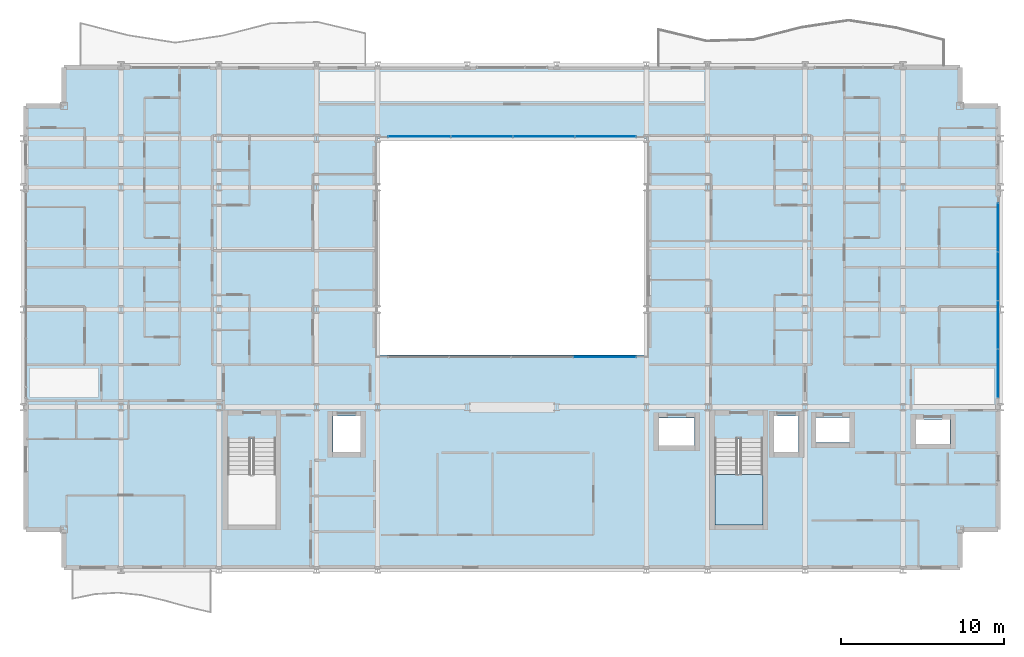
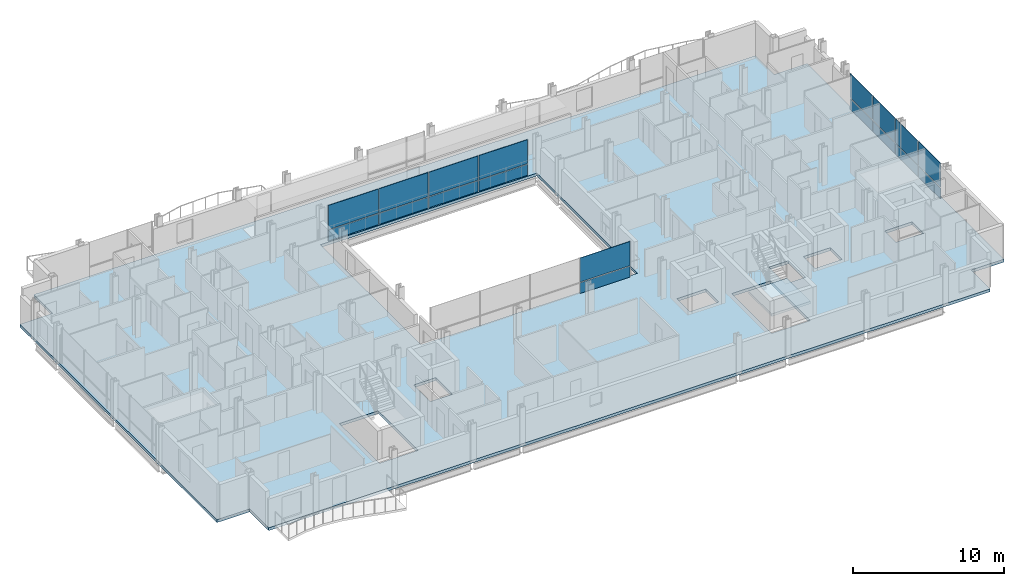
# One storey, part 27 of 40: 18 plates, 2 slabs, 4 elements without a shape of their own.
"""IFC4 building model written with IfcOpenShell, lengths in metres."""

import ifcopenshell
import ifcopenshell.guid

model = None  # the IFC model being written
_history = None  # IfcOwnerHistory: only IFC2X3 demands one
_inside = {}  # id of a spatial element -> (the spatial element, [elements in it])
_under = {}  # id of a project, library or spatial element -> (it, [spatial elements below it])
_declared = {}  # id of a project -> (the project, [libraries it declares])
_typed = {}  # id of a type object -> (the type object, [elements of that type])
_made_of = {}  # id of a material, layer set ... -> (it, [elements and type objects made of it])


def new_model(schema):
    """Start an empty IFC model of exactly this schema.

    Asked for "IFC4X3", IfcOpenShell would pick the latest addendum, in which some entities
    have other attributes; the version numbers below select the first issue.
    IFC2X3 requires an IfcOwnerHistory on every rooted entity: one is made here for all.
    """
    global model, _history
    if schema == "IFC4X3":
        model = ifcopenshell.file(schema_version=(4, 3, 0, 0))
    else:
        model = ifcopenshell.file(schema=schema)
    _inside.clear()
    _under.clear()
    _declared.clear()
    _typed.clear()
    _made_of.clear()
    _history = None
    if model.schema == "IFC2X3":
        org = make("IfcOrganization", Name="unknown")
        user = make(
            "IfcPersonAndOrganization",
            ThePerson=make("IfcPerson", FamilyName="unknown"),
            TheOrganization=org,
        )
        app = make(
            "IfcApplication",
            ApplicationDeveloper=org,
            Version="unknown",
            ApplicationFullName="unknown",
            ApplicationIdentifier="unknown",
        )
        _history = make(
            "IfcOwnerHistory",
            OwningUser=user,
            OwningApplication=app,
            ChangeAction="ADDED",
            CreationDate=0,
        )
    return model


def make(cls, **values):
    """One entity of the class cls with the attributes given. An attribute that is None is left unset."""
    return model.create_entity(
        cls, **{name: value for name, value in values.items() if value is not None}
    )


def rooted(cls, **values):
    """An entity with a GlobalId (a new one), such as an element, a storey or a relation."""
    return make(cls, GlobalId=ifcopenshell.guid.new(), OwnerHistory=_history, **values)


def si_unit(unit_type, name, prefix=None):
    """IfcSIUnit, for example si_unit("LENGTHUNIT", "METRE", prefix="MILLI")."""
    return make("IfcSIUnit", UnitType=unit_type, Prefix=prefix, Name=name)


def assignment(units):
    """IfcUnitAssignment: the units of a project."""
    return None if units is None else make("IfcUnitAssignment", Units=units)


def point(xyz):
    """IfcCartesianPoint."""
    return None if xyz is None else make("IfcCartesianPoint", Coordinates=xyz)


def direction(xyz):
    """IfcDirection."""
    return None if xyz is None else make("IfcDirection", DirectionRatios=xyz)


def frame(location, z_axis=None, x_axis=None):
    """IfcAxis2Placement3D, a coordinate frame: its origin and axes. An axis left out is left unset."""
    return make(
        "IfcAxis2Placement3D",
        Location=point(location),
        Axis=direction(z_axis),
        RefDirection=direction(x_axis),
    )


def frame_2d(location, x_axis=None):
    """IfcAxis2Placement2D, a coordinate frame in the plane: its origin and x axis."""
    return make(
        "IfcAxis2Placement2D", Location=point(location), RefDirection=direction(x_axis)
    )


def origin():
    """The frame at (0, 0, 0) with its axes left unset."""
    return frame((0.0, 0.0, 0.0))


def origin_2d():
    """The frame at (0, 0) in the plane with its x axis left unset."""
    return frame_2d((0.0, 0.0))


def place(relative_to, where):
    """IfcLocalPlacement: puts the frame where relative to a parent placement (None: the world)."""
    return make(
        "IfcLocalPlacement", PlacementRelTo=relative_to, RelativePlacement=where
    )


def context(
    kind, dimensions, precision=None, world=None, true_north=None, identifier=None
):
    """IfcGeometricRepresentationContext, for example the 3D "Model" context."""
    return make(
        "IfcGeometricRepresentationContext",
        ContextIdentifier=identifier,
        ContextType=kind,
        CoordinateSpaceDimension=dimensions,
        Precision=precision,
        WorldCoordinateSystem=world,
        TrueNorth=true_north,
    )


def subcontext(parent, identifier, kind, view, scale=None):
    """IfcGeometricRepresentationSubContext, for example "Body" below "Model"."""
    return make(
        "IfcGeometricRepresentationSubContext",
        ContextIdentifier=identifier,
        ContextType=kind,
        ParentContext=parent,
        TargetScale=scale,
        TargetView=view,
    )


def project(units=None, contexts=None):
    """IfcProject with its units and contexts."""
    return rooted(
        "IfcProject",
        Name="project",
        RepresentationContexts=contexts,
        UnitsInContext=assignment(units),
    )


def spatial(cls, under=None, at=None, **own):
    """A site, building, storey or space (cls), placed at a placement, below another one or the project."""
    s = rooted(cls, ObjectPlacement=at, **own)
    if under is not None:
        _under.setdefault(under.id(), (under, []))[1].append(s)
    return s


def polyline(points):
    """IfcPolyline through the points."""
    return make("IfcPolyline", Points=[point(p) for p in points])


def profile(cls, at=None, kind="AREA", **sizes):
    """A parametric profile (cls). Its sizes go by their IFC names, for example OverallWidth=200.0."""
    return make(cls, ProfileType=kind, Position=at, **sizes)


def rectangle(**sizes):
    """IfcRectangleProfileDef."""
    return profile("IfcRectangleProfileDef", **sizes)


def outline(outer, holes=None, kind="AREA"):
    """IfcArbitraryClosedProfileDef: a profile drawn as a closed curve; with holes, ...WithVoids."""
    if holes is None:
        return make("IfcArbitraryClosedProfileDef", ProfileType=kind, OuterCurve=outer)
    return make(
        "IfcArbitraryProfileDefWithVoids",
        ProfileType=kind,
        OuterCurve=outer,
        InnerCurves=holes,
    )


def extrude(swept, where, along, depth):
    """IfcExtrudedAreaSolid: the profile swept, set in the frame where, extruded along a direction by depth."""
    return make(
        "IfcExtrudedAreaSolid",
        SweptArea=swept,
        Position=where,
        ExtrudedDirection=direction(along),
        Depth=depth,
    )


def shape(context_of_items, identifier, shape_type, items):
    """IfcShapeRepresentation: the items that make up one representation, for example the "Body"."""
    return make(
        "IfcShapeRepresentation",
        ContextOfItems=context_of_items,
        RepresentationIdentifier=identifier,
        RepresentationType=shape_type,
        Items=items,
    )


def material(Name=None, Category=None):
    """IfcMaterial."""
    return make("IfcMaterial", Name=Name, Category=Category)


def layer(
    of_material, thickness, ventilated=None, Name=None, Category=None, Priority=None
):
    """IfcMaterialLayer: one layer of a wall or slab, of a material (None: an air gap)."""
    return make(
        "IfcMaterialLayer",
        Material=of_material,
        LayerThickness=thickness,
        IsVentilated=ventilated,
        Name=Name,
        Category=Category,
        Priority=Priority,
    )


def layer_set(layers, Name=None):
    """IfcMaterialLayerSet."""
    return make("IfcMaterialLayerSet", MaterialLayers=layers, LayerSetName=Name)


def made_of(thing, what):
    """Note that an element or type object is made of a material, layer set ...; save() writes the relation."""
    if what is not None:
        _made_of.setdefault(what.id(), (what, []))[1].append(thing)
    return thing


def type_object(cls, material=None, **own):
    """A type object (cls), such as IfcWallType, which elements share."""
    return made_of(rooted(cls, **own), material)


def element(
    cls,
    number,
    at=None,
    inside=None,
    cuts=None,
    type_object=None,
    material=None,
    context=None,
    identifier="Body",
    shape_type=None,
    held_by="IfcProductDefinitionShape",
    body=None,
    shapes=None,
    **own,
):
    """One element of the class cls, such as IfcWall. Its Tag is "e" and its number.

    at: its placement. inside: the storey or other place that contains it. cuts: it is an
    opening in that element (IfcRelVoidsElement). A single representation is given by context,
    identifier, shape_type and body (its items); several are given by shapes. held_by: the class
    of the entity that holds the representations. save() writes the other relations.
    """
    e = rooted(cls, Tag="e%d" % number, ObjectPlacement=at, **own)
    if body is not None:
        shapes = [shape(context, identifier, shape_type, body)]
    if shapes is not None:
        e.Representation = make(held_by, Representations=shapes)
    if inside is not None:
        _inside.setdefault(inside.id(), (inside, []))[1].append(e)
    if cuts is not None:
        rooted(
            "IfcRelVoidsElement", RelatingBuildingElement=cuts, RelatedOpeningElement=e
        )
    if type_object is not None:
        _typed.setdefault(type_object.id(), (type_object, []))[1].append(e)
    return made_of(e, material)


def aggregate(whole, parts):
    """IfcRelAggregates: a whole, such as a stair, and the parts it consists of."""
    return rooted("IfcRelAggregates", RelatingObject=whole, RelatedObjects=parts)


def save(model, path):
    """Write the relations noted so far, then the file.

    IfcRelAggregates (storeys below a building ...), IfcRelContainedInSpatialStructure (elements
    in a storey), IfcRelDefinesByType, IfcRelAssociatesMaterial and IfcRelDeclares: one each for
    every whole, place, type object, material and project.
    """
    for whole, parts in _under.values():
        aggregate(whole, parts)
    for where, things in _inside.values():
        rooted(
            "IfcRelContainedInSpatialStructure",
            RelatedElements=things,
            RelatingStructure=where,
        )
    for kind, things in _typed.values():
        rooted("IfcRelDefinesByType", RelatedObjects=things, RelatingType=kind)
    for what, things in _made_of.values():
        rooted("IfcRelAssociatesMaterial", RelatedObjects=things, RelatingMaterial=what)
    for by, libraries in _declared.values():
        rooted("IfcRelDeclares", RelatingContext=by, RelatedDefinitions=libraries)
    model.write(path)


model = new_model("IFC4")

# Units and contexts
model_context = context("Model", 3, precision=1e-05, world=origin(), true_north=direction((0.0, 1.0)))
body_context = subcontext(model_context, "Body", "Model", "MODEL_VIEW")
ifc_project = project(units=[si_unit("LENGTHUNIT", "METRE"), si_unit("AREAUNIT", "SQUARE_METRE"), si_unit("VOLUMEUNIT", "CUBIC_METRE"), si_unit("PLANEANGLEUNIT", "RADIAN"), si_unit("MASSUNIT", "GRAM", prefix="KILO")], contexts=[model_context])

# Site, building, storey
site_placement = place(None, origin())
site = spatial("IfcSite", under=ifc_project, at=site_placement, CompositionType="ELEMENT")
building_placement = place(site_placement, origin())
building = spatial("IfcBuilding", under=site, at=building_placement, Name="Brevholm Reach", CompositionType="ELEMENT")
storey_placement = place(building_placement, frame((0.0, 0.0, 31.10009765625)))
storey = spatial("IfcBuildingStorey", under=building, at=storey_placement, Name="L07", CompositionType="ELEMENT", Elevation=31.10009765625)

# Curtain wall, plates
ifc_material_1 = material(Name="Dark Anodised Aluminium 6063-T6 and Solar-Control Glass", Category="aluminium")
ifc_layer_1 = layer(ifc_material_1, 0.14990234375)
ifc_layer_set_1 = layer_set([ifc_layer_1], Name="Dark Anodised Aluminium 6063-T6 and Solar-Control Glass")
curtain_wall_type_1 = type_object("IfcCurtainWallType", Name="CW-01", PredefinedType="NOTDEFINED", material=ifc_layer_set_1)
curtain_wall_1_placement = place(storey_placement, origin())
curtain_wall_1 = element("IfcCurtainWall", 1, at=curtain_wall_1_placement, inside=storey, type_object=curtain_wall_type_1, Name="L07 Curtain Wall CW-01", PredefinedType="NOTDEFINED")
ifc_material_2 = material(Name="Dark Solar-Control Double-Glazed IGU Glass", Category="glass")
ifc_layer_2 = layer(ifc_material_2, 0.028076171875)
ifc_layer_set_2 = layer_set([ifc_layer_2], Name="Dark Solar-Control Double-Glazed IGU Glass")
plate_type_1 = type_object("IfcPlateType", Name="CWP-GLZ-28", PredefinedType="CURTAIN_PANEL", material=ifc_layer_set_2)
plate_1_placement = place(storey_placement, frame((59.85009765625, 12.066162109375, 0.0), z_axis=(0.0, 0.0, 1.0), x_axis=(0.0, 1.0, 0.0)))
plate_1 = element("IfcPlate", 2, at=plate_1_placement, type_object=plate_type_1, Name="CP-01 Glazing Panel 1.1", PredefinedType="CURTAIN_PANEL", context=body_context, shape_type="SweptSolid", body=[
    extrude(rectangle(XDim=2.902587890625, YDim=0.028076171875, at=origin_2d()), origin(), (0.0, 0.0, 1.0), 0.867431640625),
])
plate_2_placement = place(storey_placement, frame((59.85009765625, 12.066162109375, 0.932373046875), z_axis=(0.0, 0.0, 1.0), x_axis=(0.0, 1.0, 0.0)))
plate_2 = element("IfcPlate", 3, at=plate_2_placement, type_object=plate_type_1, Name="CP-01 Glazing Panel 1.2", PredefinedType="CURTAIN_PANEL", context=body_context, shape_type="SweptSolid", body=[
    extrude(rectangle(XDim=2.902587890625, YDim=0.028076171875, at=origin_2d()), origin(), (0.0, 0.0, 1.0), 1.9375),
])
plate_3_placement = place(storey_placement, frame((59.85009765625, 15.050048828125, 0.0), z_axis=(0.0, 0.0, 1.0), x_axis=(0.0, 1.0, 0.0)))
plate_3 = element("IfcPlate", 4, at=plate_3_placement, type_object=plate_type_1, Name="CP-01 Glazing Panel 2.1", PredefinedType="CURTAIN_PANEL", context=body_context, shape_type="SweptSolid", body=[
    extrude(rectangle(XDim=2.93505859375, YDim=0.028076171875, at=origin_2d()), origin(), (0.0, 0.0, 1.0), 0.867431640625),
])
plate_4_placement = place(storey_placement, frame((59.85009765625, 15.050048828125, 0.932373046875), z_axis=(0.0, 0.0, 1.0), x_axis=(0.0, 1.0, 0.0)))
plate_4 = element("IfcPlate", 5, at=plate_4_placement, type_object=plate_type_1, Name="CP-01 Glazing Panel 2.2", PredefinedType="CURTAIN_PANEL", context=body_context, shape_type="SweptSolid", body=[
    extrude(rectangle(XDim=2.93505859375, YDim=0.028076171875, at=origin_2d()), origin(), (0.0, 0.0, 1.0), 1.9375),
])
plate_5_placement = place(storey_placement, frame((59.85009765625, 18.050048828125, 0.0), z_axis=(0.0, 0.0, 1.0), x_axis=(0.0, 1.0, 0.0)))
plate_5 = element("IfcPlate", 6, at=plate_5_placement, type_object=plate_type_1, Name="CP-01 Glazing Panel 3.1", PredefinedType="CURTAIN_PANEL", context=body_context, shape_type="SweptSolid", body=[
    extrude(rectangle(XDim=2.93505859375, YDim=0.028076171875, at=origin_2d()), origin(), (0.0, 0.0, 1.0), 0.867431640625),
])
plate_6_placement = place(storey_placement, frame((59.85009765625, 18.050048828125, 0.932373046875), z_axis=(0.0, 0.0, 1.0), x_axis=(0.0, 1.0, 0.0)))
plate_6 = element("IfcPlate", 7, at=plate_6_placement, type_object=plate_type_1, Name="CP-01 Glazing Panel 3.2", PredefinedType="CURTAIN_PANEL", context=body_context, shape_type="SweptSolid", body=[
    extrude(rectangle(XDim=2.93505859375, YDim=0.028076171875, at=origin_2d()), origin(), (0.0, 0.0, 1.0), 1.9375),
])
plate_7_placement = place(storey_placement, frame((59.85009765625, 21.050048828125, 0.0), z_axis=(0.0, 0.0, 1.0), x_axis=(0.0, 1.0, 0.0)))
plate_7 = element("IfcPlate", 8, at=plate_7_placement, type_object=plate_type_1, Name="CP-01 Glazing Panel 4.1", PredefinedType="CURTAIN_PANEL", context=body_context, shape_type="SweptSolid", body=[
    extrude(rectangle(XDim=2.93505859375, YDim=0.028076171875, at=origin_2d()), origin(), (0.0, 0.0, 1.0), 0.867431640625),
])
plate_8_placement = place(storey_placement, frame((59.85009765625, 21.050048828125, 0.932373046875), z_axis=(0.0, 0.0, 1.0), x_axis=(0.0, 1.0, 0.0)))
plate_8 = element("IfcPlate", 9, at=plate_8_placement, type_object=plate_type_1, Name="CP-01 Glazing Panel 4.2", PredefinedType="CURTAIN_PANEL", context=body_context, shape_type="SweptSolid", body=[
    extrude(rectangle(XDim=2.93505859375, YDim=0.028076171875, at=origin_2d()), origin(), (0.0, 0.0, 1.0), 1.9375),
])
aggregate(curtain_wall_1, [plate_1, plate_2, plate_3, plate_4, plate_5, plate_6, plate_7, plate_8])

ifc_material_3 = material(Name="Dark Anodised Aluminium 6063-T6 and Solar-Control Glass", Category="aluminium")
ifc_layer_3 = layer(ifc_material_3, 0.139892578125)
ifc_layer_set_3 = layer_set([ifc_layer_3], Name="Dark Anodised Aluminium 6063-T6 and Solar-Control Glass")
curtain_wall_type_2 = type_object("IfcCurtainWallType", Name="CW-02", PredefinedType="NOTDEFINED", material=ifc_layer_set_3)
curtain_wall_2_placement = place(storey_placement, origin())
curtain_wall_2 = element("IfcCurtainWall", 10, at=curtain_wall_2_placement, inside=storey, type_object=curtain_wall_type_2, Name="L07 Curtain Wall CW-02", PredefinedType="NOTDEFINED")
ifc_material_4 = material(Name="Low-Iron Laminated Acoustic Glass", Category="glass")
ifc_layer_4 = layer(ifc_material_4, 0.035888671875)
ifc_layer_set_4 = layer_set([ifc_layer_4], Name="Low-Iron Laminated Acoustic Glass")
plate_type_2 = type_object("IfcPlateType", Name="CWP-GLZ-36", PredefinedType="CURTAIN_PANEL", material=ifc_layer_set_4)
plate_9_placement = place(storey_placement, frame((35.68505859375, 13.080078125, -0.000244140625), z_axis=(0.0, 0.0, 1.0), x_axis=(1.0, 0.0, 0.0)))
plate_9 = element("IfcPlate", 11, at=plate_9_placement, type_object=plate_type_2, Name="CP-02 Glazing Panel 4.1", PredefinedType="CURTAIN_PANEL", context=body_context, shape_type="SweptSolid", body=[
    extrude(rectangle(XDim=3.81005859375, YDim=0.035888671875, at=origin_2d()), origin(), (0.0, 0.0, 1.0), 0.8701171875),
])
plate_10_placement = place(storey_placement, frame((35.68505859375, 13.080078125, 0.929931640625), z_axis=(0.0, 0.0, 1.0), x_axis=(1.0, 0.0, 0.0)))
plate_10 = element("IfcPlate", 12, at=plate_10_placement, type_object=plate_type_2, Name="CP-02 Glazing Panel 4.2", PredefinedType="CURTAIN_PANEL", context=body_context, shape_type="SweptSolid", body=[
    extrude(rectangle(XDim=3.81005859375, YDim=0.035888671875, at=origin_2d()), origin(), (0.0, 0.0, 1.0), 1.93994140625),
])
aggregate(curtain_wall_2, [plate_9, plate_10])

curtain_wall_3_placement = place(storey_placement, origin())
curtain_wall_3 = element("IfcCurtainWall", 13, at=curtain_wall_3_placement, inside=storey, type_object=curtain_wall_type_2, Name="L07 Curtain Wall CW-02", PredefinedType="NOTDEFINED")
plate_11_placement = place(storey_placement, frame((35.735107421875, 26.6201171875, -0.000244140625), z_axis=(0.0, 0.0, 1.0), x_axis=(-1.0, 0.0, 0.0)))
plate_11 = element("IfcPlate", 14, at=plate_11_placement, type_object=plate_type_2, Name="CP-02 Glazing Panel 1.1", PredefinedType="CURTAIN_PANEL", context=body_context, shape_type="SweptSolid", body=[
    extrude(rectangle(XDim=3.7099609375, YDim=0.035888671875, at=origin_2d()), origin(), (0.0, 0.0, 1.0), 0.8701171875),
])
plate_12_placement = place(storey_placement, frame((35.735107421875, 26.6201171875, 0.929931640625), z_axis=(0.0, 0.0, 1.0), x_axis=(-1.0, 0.0, 0.0)))
plate_12 = element("IfcPlate", 15, at=plate_12_placement, type_object=plate_type_2, Name="CP-02 Glazing Panel 1.2", PredefinedType="CURTAIN_PANEL", context=body_context, shape_type="SweptSolid", body=[
    extrude(rectangle(XDim=3.7099609375, YDim=0.035888671875, at=origin_2d()), origin(), (0.0, 0.0, 1.0), 1.93994140625),
])
plate_13_placement = place(storey_placement, frame((31.949951171875, 26.6201171875, -0.000244140625), z_axis=(0.0, 0.0, 1.0), x_axis=(-1.0, 0.0, 0.0)))
plate_13 = element("IfcPlate", 16, at=plate_13_placement, type_object=plate_type_2, Name="CP-02 Glazing Panel 2.1", PredefinedType="CURTAIN_PANEL", context=body_context, shape_type="SweptSolid", body=[
    extrude(rectangle(XDim=3.739990234375, YDim=0.035888671875, at=origin_2d()), origin(), (0.0, 0.0, 1.0), 0.8701171875),
])
plate_14_placement = place(storey_placement, frame((31.949951171875, 26.6201171875, 0.929931640625), z_axis=(0.0, 0.0, 1.0), x_axis=(-1.0, 0.0, 0.0)))
plate_14 = element("IfcPlate", 17, at=plate_14_placement, type_object=plate_type_2, Name="CP-02 Glazing Panel 2.2", PredefinedType="CURTAIN_PANEL", context=body_context, shape_type="SweptSolid", body=[
    extrude(rectangle(XDim=3.739990234375, YDim=0.035888671875, at=origin_2d()), origin(), (0.0, 0.0, 1.0), 1.93994140625),
])
plate_15_placement = place(storey_placement, frame((28.14990234375, 26.6201171875, -0.000244140625), z_axis=(0.0, 0.0, 1.0), x_axis=(-1.0, 0.0, 0.0)))
plate_15 = element("IfcPlate", 18, at=plate_15_placement, type_object=plate_type_2, Name="CP-02 Glazing Panel 3.1", PredefinedType="CURTAIN_PANEL", context=body_context, shape_type="SweptSolid", body=[
    extrude(rectangle(XDim=3.739990234375, YDim=0.035888671875, at=origin_2d()), origin(), (0.0, 0.0, 1.0), 0.8701171875),
])
plate_16_placement = place(storey_placement, frame((28.14990234375, 26.6201171875, 0.929931640625), z_axis=(0.0, 0.0, 1.0), x_axis=(-1.0, 0.0, 0.0)))
plate_16 = element("IfcPlate", 19, at=plate_16_placement, type_object=plate_type_2, Name="CP-02 Glazing Panel 3.2", PredefinedType="CURTAIN_PANEL", context=body_context, shape_type="SweptSolid", body=[
    extrude(rectangle(XDim=3.739990234375, YDim=0.035888671875, at=origin_2d()), origin(), (0.0, 0.0, 1.0), 1.93994140625),
])
plate_17_placement = place(storey_placement, frame((24.31494140625, 26.6201171875, -0.000244140625), z_axis=(0.0, 0.0, 1.0), x_axis=(-1.0, 0.0, 0.0)))
plate_17 = element("IfcPlate", 20, at=plate_17_placement, type_object=plate_type_2, Name="CP-02 Glazing Panel 4.1", PredefinedType="CURTAIN_PANEL", context=body_context, shape_type="SweptSolid", body=[
    extrude(rectangle(XDim=3.81005859375, YDim=0.035888671875, at=origin_2d()), origin(), (0.0, 0.0, 1.0), 0.8701171875),
])
plate_18_placement = place(storey_placement, frame((24.31494140625, 26.6201171875, 0.929931640625), z_axis=(0.0, 0.0, 1.0), x_axis=(-1.0, 0.0, 0.0)))
plate_18 = element("IfcPlate", 21, at=plate_18_placement, type_object=plate_type_2, Name="CP-02 Glazing Panel 4.2", PredefinedType="CURTAIN_PANEL", context=body_context, shape_type="SweptSolid", body=[
    extrude(rectangle(XDim=3.81005859375, YDim=0.035888671875, at=origin_2d()), origin(), (0.0, 0.0, 1.0), 1.93994140625),
])
aggregate(curtain_wall_3, [plate_11, plate_12, plate_13, plate_14, plate_15, plate_16, plate_17, plate_18])

# Slab
ifc_material_5 = material(Name="Concrete C40/50", Category="concrete")
ifc_layer_5 = layer(ifc_material_5, 0.22998046875)
ifc_layer_set_5 = layer_set([ifc_layer_5], Name="Concrete C40/50")
slab_type_1 = type_object("IfcSlabType", Name="SLB-FL-230", PredefinedType="FLOOR", material=ifc_layer_set_5)
slab_1_placement = place(storey_placement, frame((0.0, 0.0, -0.22998046875)))
element("IfcSlab", 22, at=slab_1_placement, inside=storey, type_object=slab_type_1, Name="L07 Suspended Floor Slab (main)", PredefinedType="FLOOR", context=body_context, shape_type="SweptSolid", body=[
    extrude(outline(polyline([(2.5, 0.0), (57.5, 0.0), (57.5, 2.5), (60.0, 2.5), (60.0, 28.5), (57.5, 28.5), (57.5, 31.0), (2.5, 31.0), (2.5, 28.5), (0.0, 28.5), (0.0, 2.5), (2.5, 2.5), (2.5, 0.0)]), holes=[polyline([(21.75, 13.199951171875), (38.25, 13.199951171875), (38.25, 26.5), (21.75, 26.5), (21.75, 13.199951171875)]), polyline([(12.550048828125, 2.780029296875), (15.5, 2.780029296875), (15.5, 8.044921875), (12.550048828125, 8.044921875), (12.550048828125, 2.780029296875)]), polyline([(42.449951171875, 2.780029296875), (45.39990234375, 2.780029296875), (45.39990234375, 8.044921875), (42.449951171875, 8.044921875), (42.449951171875, 2.780029296875)]), polyline([(19.0, 7.25), (20.699951171875, 7.25), (20.699951171875, 9.449951171875), (19.0, 9.449951171875), (19.0, 7.25)]), polyline([(46.10009765625, 7.25), (47.60009765625, 7.25), (47.60009765625, 9.449951171875), (46.10009765625, 9.449951171875), (46.10009765625, 7.25)]), polyline([(48.675048828125, 7.824951171875), (50.72509765625, 7.824951171875), (50.72509765625, 9.375), (48.675048828125, 9.375), (48.675048828125, 7.824951171875)]), polyline([(54.800048828125, 7.75), (56.89990234375, 7.75), (56.89990234375, 9.25), (54.800048828125, 9.25), (54.800048828125, 7.75)]), polyline([(39.02001953125, 7.64990234375), (41.219970703125, 7.64990234375), (41.219970703125, 9.35009765625), (39.02001953125, 9.35009765625), (39.02001953125, 7.64990234375)])]), origin(), (0.0, 0.0, 1.0), 0.22998046875),
])

# Stair, slab
ifc_material_6 = material(Name="Precast Concrete C40/50", Category="concrete")
stair_type = type_object("IfcStairType", Name="STR-ESC-1400", PredefinedType="DOUBLE_RETURN_STAIR", material=ifc_material_6)
stair_placement = place(storey_placement, origin())
stair = element("IfcStair", 23, at=stair_placement, inside=storey, type_object=stair_type, Name="L07 ST-2", PredefinedType="DOUBLE_RETURN_STAIR")
ifc_material_7 = material(Name="Concrete C40/50", Category="concrete")
ifc_layer_6 = layer(ifc_material_7, 0.199951171875)
ifc_layer_set_6 = layer_set([ifc_layer_6], Name="Concrete C40/50")
slab_type_2 = type_object("IfcSlabType", Name="SLB-LND-200", PredefinedType="LANDING", material=ifc_layer_set_6)
slab_2_placement = place(storey_placement, frame((0.0, 0.0, 1.349853515625)))
slab_2 = element("IfcSlab", 24, at=slab_2_placement, type_object=slab_type_2, Name="ST-2 landing 1", PredefinedType="LANDING", context=body_context, shape_type="SweptSolid", body=[
    extrude(outline(polyline([(42.449951171875, 5.860107421875), (42.449951171875, 2.780029296875), (45.39990234375, 2.780029296875), (45.39990234375, 5.860107421875), (42.449951171875, 5.860107421875)])), origin(), (0.0, 0.0, 1.0), 0.199951171875),
])
aggregate(stair, [slab_2])

save(model, "model.ifc")
